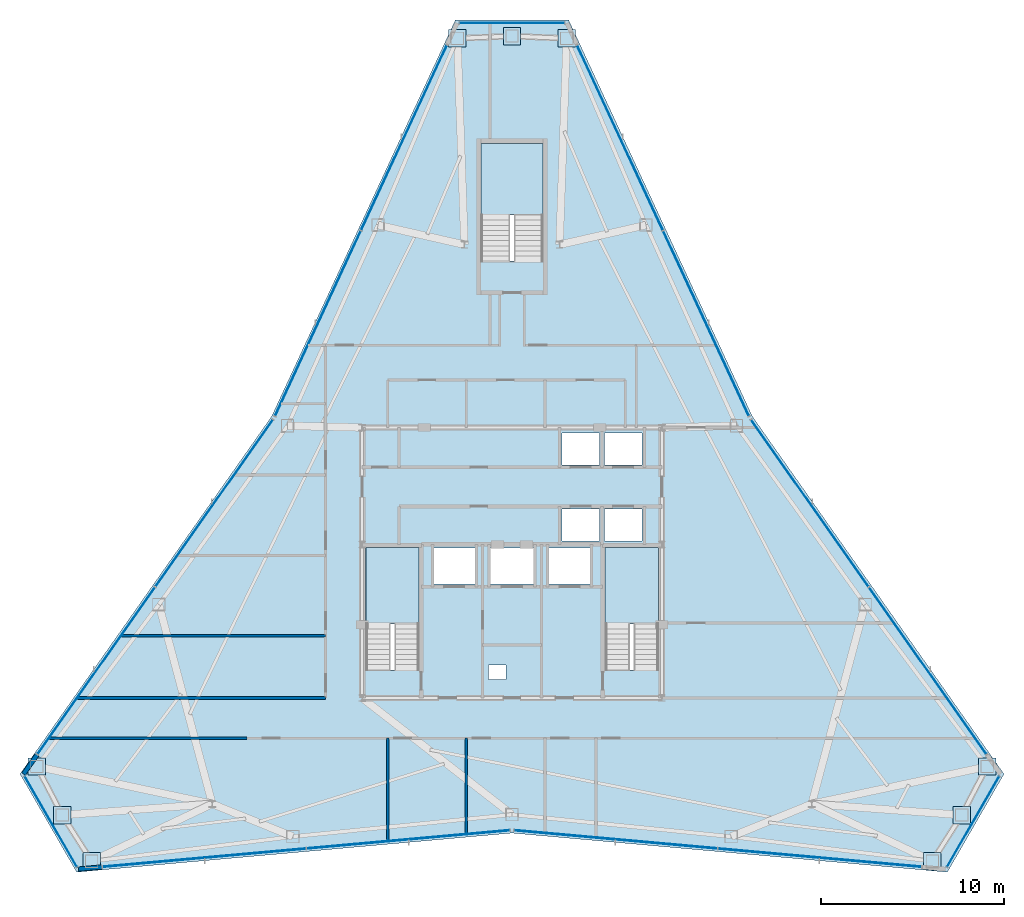
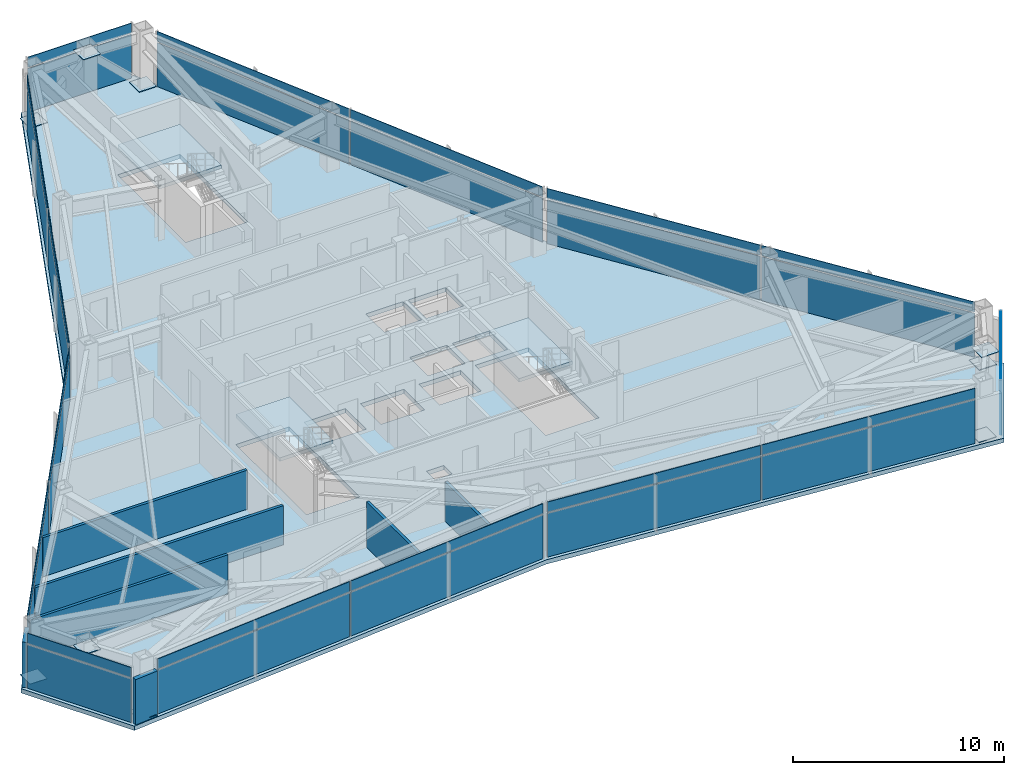
# One storey, part 8 of 12: 39 plates, 7 walls, 4 slabs, 12 elements without a shape of their own.
"""IFC4 building model written with IfcOpenShell, lengths in metres."""

from ifc_helpers import new_model, si_unit, direction, frame, frame_2d, origin, origin_2d, place, context, subcontext, project, spatial, polyline, rectangle, outline, extrude, source, transform, mapped, material, layer, layer_set, type_object, type_shapes, element, aggregate, save


model = new_model("IFC4")

# Units and contexts
model_context = context("Model", 3, precision=1e-05, world=origin(), true_north=direction((0.0, 1.0)))
body_context = subcontext(model_context, "Body", "Model", "MODEL_VIEW")
ifc_project = project(units=[si_unit("LENGTHUNIT", "METRE"), si_unit("AREAUNIT", "SQUARE_METRE"), si_unit("VOLUMEUNIT", "CUBIC_METRE"), si_unit("PLANEANGLEUNIT", "RADIAN"), si_unit("MASSUNIT", "GRAM", prefix="KILO")], contexts=[model_context])

# Site, building, storey
site_placement = place(None, origin())
site = spatial("IfcSite", under=ifc_project, at=site_placement, CompositionType="ELEMENT")
building_placement = place(site_placement, origin())
building = spatial("IfcBuilding", under=site, at=building_placement, Name="Varakhsha Concourse Tower", CompositionType="ELEMENT")
storey_placement = place(building_placement, frame((0.0, 0.0, 239.89990234375)))
storey = spatial("IfcBuildingStorey", under=building, at=storey_placement, Name="L68", CompositionType="ELEMENT", Elevation=239.89990234375)

# Slab
ifc_material_1 = material(Name="Concrete fc 45 MPa", Category="concrete")
ifc_layer_1 = layer(ifc_material_1, 0.25, Name="SL-FLR-250")
ifc_layer_set_1 = layer_set([ifc_layer_1], Name="Concrete fc 45 MPa")
slab_type_1 = type_object("IfcSlabType", Name="SL-FLR-250", PredefinedType="FLOOR", material=ifc_layer_set_1)
slab_1_placement = place(storey_placement, frame((0.0, 0.0, -0.25)))
element("IfcSlab", 1, at=slab_1_placement, inside=storey, type_object=slab_type_1, Name="L68 Composite Structural Slab", PredefinedType="FLOOR", context=body_context, shape_type="SweptSolid", body=[
    extrude(outline(polyline([(43.10009765625, 53.497314453125), (36.89990234375, 53.497314453125), (26.84130859375, 31.797119140625), (13.077880859375, 12.236083984375), (16.177734375, 6.86669921875), (40.0, 9.005615234375), (63.822265625, 6.86669921875), (66.922119140625, 12.236083984375), (53.15869140625, 31.797119140625), (43.10009765625, 53.497314453125)]), holes=[polyline([(34.919921875, 17.93994140625), (34.919921875, 24.6298828125), (32.0, 24.6298828125), (32.0, 17.93994140625), (34.919921875, 17.93994140625)]), polyline([(48.02001953125, 17.93994140625), (48.02001953125, 24.6298828125), (45.10009765625, 24.6298828125), (45.10009765625, 17.93994140625), (48.02001953125, 17.93994140625)]), polyline([(41.699951171875, 40.300048828125), (41.699951171875, 46.75), (38.300048828125, 46.75), (38.300048828125, 40.300048828125), (41.699951171875, 40.300048828125)]), polyline([(42.739990234375, 29.159912109375), (44.780029296875, 29.159912109375), (44.780029296875, 30.89990234375), (42.739990234375, 30.89990234375), (42.739990234375, 29.159912109375)]), polyline([(45.06005859375, 29.159912109375), (47.10009765625, 29.159912109375), (47.10009765625, 30.89990234375), (45.06005859375, 30.89990234375), (45.06005859375, 29.159912109375)]), polyline([(42.739990234375, 25.0), (44.780029296875, 25.0), (44.780029296875, 26.739990234375), (42.739990234375, 26.739990234375), (42.739990234375, 25.0)]), polyline([(45.06005859375, 25.0), (47.10009765625, 25.0), (47.10009765625, 26.739990234375), (45.06005859375, 26.739990234375), (45.06005859375, 25.0)]), polyline([(35.7099609375, 22.639892578125), (37.989990234375, 22.639892578125), (37.989990234375, 24.60009765625), (35.7099609375, 24.60009765625), (35.7099609375, 22.639892578125)]), polyline([(42.010009765625, 22.639892578125), (44.2900390625, 22.639892578125), (44.2900390625, 24.60009765625), (42.010009765625, 24.60009765625), (42.010009765625, 22.639892578125)]), polyline([(38.81005859375, 22.639892578125), (41.18994140625, 22.639892578125), (41.18994140625, 24.60009765625), (38.81005859375, 24.60009765625), (38.81005859375, 22.639892578125)]), polyline([(38.719970703125, 17.39990234375), (39.679931640625, 17.39990234375), (39.679931640625, 18.199951171875), (38.719970703125, 18.199951171875), (38.719970703125, 17.39990234375)])]), origin(), (0.0, 0.0, 1.0), 0.25),
])

# Stair, slab
stair_type_1 = type_object("IfcStairType", Name="ST-DOGLEG-1360", PredefinedType="HALF_TURN_STAIR", material=ifc_material_1)
stair_1_placement = place(storey_placement, origin())
stair_1 = element("IfcStair", 2, at=stair_1_placement, inside=storey, type_object=stair_type_1, Name="L68 Protected Exit Stair ST1", PredefinedType="HALF_TURN_STAIR")
ifc_layer_2 = layer(ifc_material_1, 0.199951171875, Name="SL-LAND-200")
ifc_layer_set_2 = layer_set([ifc_layer_2], Name="Concrete fc 45 MPa")
slab_type_2 = type_object("IfcSlabType", Name="SL-LAND-200", PredefinedType="LANDING", material=ifc_layer_set_2)
slab_2_placement = place(storey_placement, frame((0.0, 0.0, 1.550048828125)))
slab_2 = element("IfcSlab", 3, at=slab_2_placement, type_object=slab_type_2, Name="ST1 landing 1", PredefinedType="LANDING", context=body_context, shape_type="SweptSolid", body=[
    extrude(outline(polyline([(34.919921875, 20.4599609375), (34.919921875, 24.6298828125), (32.0, 24.6298828125), (32.0, 20.4599609375), (34.919921875, 20.4599609375)])), origin(), (0.0, 0.0, 1.0), 0.199951171875),
])
aggregate(stair_1, [slab_2])

stair_2_placement = place(storey_placement, origin())
stair_2 = element("IfcStair", 4, at=stair_2_placement, inside=storey, type_object=stair_type_1, Name="L68 Protected Exit Stair ST2", PredefinedType="HALF_TURN_STAIR")
slab_3_placement = place(storey_placement, frame((0.0, 0.0, 1.550048828125)))
slab_3 = element("IfcSlab", 5, at=slab_3_placement, type_object=slab_type_2, Name="ST2 landing 1", PredefinedType="LANDING", context=body_context, shape_type="SweptSolid", body=[
    extrude(outline(polyline([(48.02001953125, 20.4599609375), (48.02001953125, 24.6298828125), (45.10009765625, 24.6298828125), (45.10009765625, 20.4599609375), (48.02001953125, 20.4599609375)])), origin(), (0.0, 0.0, 1.0), 0.199951171875),
])
aggregate(stair_2, [slab_3])

stair_type_2 = type_object("IfcStairType", Name="ST-DOGLEG-1600", PredefinedType="HALF_TURN_STAIR", material=ifc_material_1)
stair_3_placement = place(storey_placement, origin())
stair_3 = element("IfcStair", 6, at=stair_3_placement, inside=storey, type_object=stair_type_2, Name="L68 Protected Exit Stair ST5", PredefinedType="HALF_TURN_STAIR")
slab_4_placement = place(storey_placement, frame((0.0, 0.0, 1.550048828125)))
slab_4 = element("IfcSlab", 7, at=slab_4_placement, type_object=slab_type_2, Name="ST5 landing 1", PredefinedType="LANDING", context=body_context, shape_type="SweptSolid", body=[
    extrude(outline(polyline([(41.699951171875, 42.820068359375), (41.699951171875, 46.75), (38.300048828125, 46.75), (38.300048828125, 42.820068359375), (41.699951171875, 42.820068359375)])), origin(), (0.0, 0.0, 1.0), 0.199951171875),
])
aggregate(stair_3, [slab_4])

# Plates
ifc_material_2 = material(Name="Structural Steel ASTM A572 Grade 50", Category="steel")
ifc_layer_3 = layer(ifc_material_2, 0.030029296875, Name="PL-ENDCAP-950")
ifc_layer_set_3 = layer_set([ifc_layer_3], Name="Structural Steel ASTM A572 Grade 50")
plate_type_1 = type_object("IfcPlateType", Name="PL-ENDCAP-950", PredefinedType="USERDEFINED", material=ifc_layer_set_3)
shared_shape_1 = source(origin(), body_context, "Body", "SweptSolid", [
    extrude(rectangle(XDim=0.949951171875, YDim=0.949951171875, at=origin_2d()), origin(), (0.0, 0.0, 1.0), 0.030029296875),
])
type_shapes(plate_type_1, [shared_shape_1])
for number, where, z_axis, x_axis, name in (
    (8, (42.993408203125, 52.490966796875, 0.10498046875), (0.0, 0.0, 1.0), (1.0, 0.0, 0.0), "Hollow Section End Cap GP-NODE-L68-0694"),
    (9, (40.0, 52.6171875, 2.93505859375), (0.0, 0.0, 1.0), (1.0, 0.0, 0.0), "Hollow Section End Cap GP-NODE-L68-0695"),
    (10, (37.006591796875, 52.490966796875, 0.10498046875), (0.0, 0.0, 1.0), (1.0, 0.0, 0.0), "Hollow Section End Cap GP-NODE-L68-0696"),
    (11, (14.002685546875, 12.64697265625, 0.10498046875), (0.0, 0.0, 1.0), (1.0, 0.0, 0.0), "Hollow Section End Cap GP-NODE-L68-0697"),
    (12, (15.389892578125, 9.9912109375, 2.93505859375), (0.0, 0.0, 1.0), (1.0, 0.0, 0.0), "Hollow Section End Cap GP-NODE-L68-0698"),
    (13, (16.99609375, 7.4619140625, 0.10498046875), (0.0, 0.0, 1.0), (1.0, 0.0, 0.0), "Hollow Section End Cap GP-NODE-L68-0699"),
    (14, (63.00390625, 7.4619140625, 0.10498046875), (0.0, 0.0, 1.0), (1.0, 0.0, 0.0), "Hollow Section End Cap GP-NODE-L68-0700"),
    (15, (64.610107421875, 9.9912109375, 2.93505859375), (0.0, 0.0, 1.0), (1.0, 0.0, 0.0), "Hollow Section End Cap GP-NODE-L68-0701"),
    (16, (65.997314453125, 12.64697265625, 0.10498046875), (0.0, 0.0, 1.0), (1.0, 0.0, 0.0), "Hollow Section End Cap GP-NODE-L68-0702"),
):
    element("IfcPlate", number, at=place(storey_placement, frame(where, z_axis=z_axis, x_axis=x_axis)), inside=storey, type_object=plate_type_1, Name=name, ObjectType="END PLATE", PredefinedType="USERDEFINED", context=body_context, shape_type="MappedRepresentation", body=[
        mapped(shared_shape_1, transform((0.0, 0.0, 0.0), scale=1.0)),
    ])

# Curtain wall, plates
ifc_material_3 = material(Name="Anodised Bronze Architectural Aluminium AA 6063-T6", Category="aluminium")
ifc_layer_4 = layer(ifc_material_3, 0.199951171875, Name="CW-SYS-05")
ifc_layer_set_4 = layer_set([ifc_layer_4], Name="Anodised Bronze Architectural Aluminium AA 6063-T6")
curtain_wall_type = type_object("IfcCurtainWallType", Name="CW-SYS-05", PredefinedType="NOTDEFINED", material=ifc_layer_set_4)
curtain_wall_1_placement = place(storey_placement, origin())
curtain_wall_1 = element("IfcCurtainWall", 17, at=curtain_wall_1_placement, inside=storey, type_object=curtain_wall_type, Name="L68 Crystal Curtain Wall F2", PredefinedType="NOTDEFINED")
ifc_material_4 = material(Name="Low-E Triple Insulating Glass IGU 44 mm", Category="glass")
ifc_layer_5 = layer(ifc_material_4, 0.0439453125, Name="CWP-IGU-44")
ifc_layer_set_5 = layer_set([ifc_layer_5], Name="Low-E Triple Insulating Glass IGU 44 mm")
plate_type_2 = type_object("IfcPlateType", Name="CWP-IGU-44", PredefinedType="CURTAIN_PANEL", material=ifc_layer_set_5)
shared_shape_2 = source(origin(), body_context, "Body", "SweptSolid", [
    extrude(rectangle(XDim=11.139892578125, YDim=0.0439453125, at=origin_2d()), origin(), (0.0, 0.0, 1.0), 2.535888671875),
])
type_shapes(plate_type_2, [shared_shape_2])
plate_1_placement = place(storey_placement, frame((29.377197265625, 36.88720703125, 0.0322265625), z_axis=(0.0, 0.0, 1.0), x_axis=(0.420546577212, 0.907270949824, 0.0)))
plate_1 = element("IfcPlate", 18, at=plate_1_placement, type_object=plate_type_2, Name="CW-L68-F2 Panel 00-00", PredefinedType="CURTAIN_PANEL", context=body_context, shape_type="MappedRepresentation", body=[
    mapped(shared_shape_2, transform((0.0, 0.0, 0.0), scale=1.0)),
])
plate_2_placement = place(storey_placement, frame((34.091064453125, 47.056884765625, 0.0322265625), z_axis=(0.0, 0.0, 1.0), x_axis=(0.420546577212, 0.907270949824, 0.0)))
plate_2 = element("IfcPlate", 19, at=plate_2_placement, type_object=plate_type_2, Name="CW-L68-F2 Panel 01-00", PredefinedType="CURTAIN_PANEL", context=body_context, shape_type="MappedRepresentation", body=[
    mapped(shared_shape_2, transform((0.0, 0.0, 0.0), scale=1.0)),
])

curtain_wall_2_placement = place(storey_placement, origin())
curtain_wall_2 = element("IfcCurtainWall", 20, at=curtain_wall_2_placement, inside=storey, type_object=curtain_wall_type, Name="L68 Crystal Curtain Wall F3", PredefinedType="NOTDEFINED")
plate_3_placement = place(storey_placement, frame((17.2509765625, 17.888916015625, 0.0322265625), z_axis=(0.0, 0.0, 1.0), x_axis=(0.575443547255, 0.817841502935, 0.0)))
plate_3 = element("IfcPlate", 21, at=plate_3_placement, type_object=plate_type_2, Name="CW-L68-F3 Panel 00-00", PredefinedType="CURTAIN_PANEL", context=body_context, shape_type="MappedRepresentation", body=[
    mapped(shared_shape_2, transform((0.0, 0.0, 0.0), scale=1.0)),
])
plate_4_placement = place(storey_placement, frame((23.700927734375, 27.05615234375, 0.0322265625), z_axis=(0.0, 0.0, 1.0), x_axis=(0.575443547255, 0.817841502935, 0.0)))
plate_4 = element("IfcPlate", 22, at=plate_4_placement, type_object=plate_type_2, Name="CW-L68-F3 Panel 01-00", PredefinedType="CURTAIN_PANEL", context=body_context, shape_type="MappedRepresentation", body=[
    mapped(shared_shape_2, transform((0.0, 0.0, 0.0), scale=1.0)),
])

curtain_wall_3_placement = place(storey_placement, origin())
curtain_wall_3 = element("IfcCurtainWall", 23, at=curtain_wall_3_placement, inside=storey, type_object=curtain_wall_type, Name="L68 Crystal Curtain Wall F5", PredefinedType="NOTDEFINED")
plate_5_placement = place(storey_placement, frame((34.323974609375, 8.656494140625, 0.0322265625), z_axis=(0.0, 0.0, 1.0), x_axis=(-0.995992823181, -0.089433193907, 0.0)))
plate_5 = element("IfcPlate", 24, at=plate_5_placement, type_object=plate_type_2, Name="CW-L68-F5 Panel 00-00", PredefinedType="CURTAIN_PANEL", context=body_context, shape_type="MappedRepresentation", body=[
    mapped(shared_shape_2, transform((0.0, 0.0, 0.0), scale=1.0)),
])
plate_6_placement = place(storey_placement, frame((23.159912109375, 7.654052734375, 0.0322265625), z_axis=(0.0, 0.0, 1.0), x_axis=(-0.995992823181, -0.089433193907, 0.0)))
plate_6 = element("IfcPlate", 25, at=plate_6_placement, type_object=plate_type_2, Name="CW-L68-F5 Panel 01-00", PredefinedType="CURTAIN_PANEL", context=body_context, shape_type="MappedRepresentation", body=[
    mapped(shared_shape_2, transform((0.0, 0.0, 0.0), scale=1.0)),
])

curtain_wall_4_placement = place(storey_placement, origin())
curtain_wall_4 = element("IfcCurtainWall", 26, at=curtain_wall_4_placement, inside=storey, type_object=curtain_wall_type, Name="L68 Crystal Curtain Wall F6", PredefinedType="NOTDEFINED")
plate_7_placement = place(storey_placement, frame((56.840087890625, 7.654052734375, 0.0322265625), z_axis=(0.0, 0.0, 1.0), x_axis=(-0.995992823181, 0.089433193907, 0.0)))
plate_7 = element("IfcPlate", 27, at=plate_7_placement, type_object=plate_type_2, Name="CW-L68-F6 Panel 00-00", PredefinedType="CURTAIN_PANEL", context=body_context, shape_type="MappedRepresentation", body=[
    mapped(shared_shape_2, transform((0.0, 0.0, 0.0), scale=1.0)),
])
plate_8_placement = place(storey_placement, frame((45.676025390625, 8.656494140625, 0.0322265625), z_axis=(0.0, 0.0, 1.0), x_axis=(-0.995992823181, 0.089433193907, 0.0)))
plate_8 = element("IfcPlate", 28, at=plate_8_placement, type_object=plate_type_2, Name="CW-L68-F6 Panel 01-00", PredefinedType="CURTAIN_PANEL", context=body_context, shape_type="MappedRepresentation", body=[
    mapped(shared_shape_2, transform((0.0, 0.0, 0.0), scale=1.0)),
])

curtain_wall_5_placement = place(storey_placement, origin())
curtain_wall_5 = element("IfcCurtainWall", 29, at=curtain_wall_5_placement, inside=storey, type_object=curtain_wall_type, Name="L68 Crystal Curtain Wall F8", PredefinedType="NOTDEFINED")
plate_9_placement = place(storey_placement, frame((56.299072265625, 27.05615234375, 0.0322265625), z_axis=(0.0, 0.0, 1.0), x_axis=(0.575443547255, -0.817841502935, 0.0)))
plate_9 = element("IfcPlate", 30, at=plate_9_placement, type_object=plate_type_2, Name="CW-L68-F8 Panel 00-00", PredefinedType="CURTAIN_PANEL", context=body_context, shape_type="MappedRepresentation", body=[
    mapped(shared_shape_2, transform((0.0, 0.0, 0.0), scale=1.0)),
])
plate_10_placement = place(storey_placement, frame((62.7490234375, 17.888916015625, 0.0322265625), z_axis=(0.0, 0.0, 1.0), x_axis=(0.575443547255, -0.817841502935, 0.0)))
plate_10 = element("IfcPlate", 31, at=plate_10_placement, type_object=plate_type_2, Name="CW-L68-F8 Panel 01-00", PredefinedType="CURTAIN_PANEL", context=body_context, shape_type="MappedRepresentation", body=[
    mapped(shared_shape_2, transform((0.0, 0.0, 0.0), scale=1.0)),
])

curtain_wall_6_placement = place(storey_placement, origin())
curtain_wall_6 = element("IfcCurtainWall", 32, at=curtain_wall_6_placement, inside=storey, type_object=curtain_wall_type, Name="L68 Crystal Curtain Wall F9", PredefinedType="NOTDEFINED")
plate_11_placement = place(storey_placement, frame((45.9091796875, 47.056884765625, 0.0322265625), z_axis=(0.0, 0.0, 1.0), x_axis=(0.420546577212, -0.907270949824, 0.0)))
plate_11 = element("IfcPlate", 33, at=plate_11_placement, type_object=plate_type_2, Name="CW-L68-F9 Panel 00-00", PredefinedType="CURTAIN_PANEL", context=body_context, shape_type="MappedRepresentation", body=[
    mapped(shared_shape_2, transform((0.0, 0.0, 0.0), scale=1.0)),
])
plate_12_placement = place(storey_placement, frame((50.623046875, 36.88720703125, 0.0322265625), z_axis=(0.0, 0.0, 1.0), x_axis=(0.420546577212, -0.907270949824, 0.0)))
plate_12 = element("IfcPlate", 34, at=plate_12_placement, type_object=plate_type_2, Name="CW-L68-F9 Panel 01-00", PredefinedType="CURTAIN_PANEL", context=body_context, shape_type="MappedRepresentation", body=[
    mapped(shared_shape_2, transform((0.0, 0.0, 0.0), scale=1.0)),
])

# Plate
ifc_material_5 = material(Name="Insulated Anodised Bronze Aluminium Spandrel 36 mm", Category="aluminium")
ifc_layer_6 = layer(ifc_material_5, 0.035888671875, Name="CWP-SPN-36")
ifc_layer_set_6 = layer_set([ifc_layer_6], Name="Insulated Anodised Bronze Aluminium Spandrel 36 mm")
plate_type_3 = type_object("IfcPlateType", Name="CWP-SPN-36", PredefinedType="USERDEFINED", material=ifc_layer_set_6)
shared_shape_3 = source(origin(), body_context, "Body", "SweptSolid", [
    extrude(rectangle(XDim=11.139892578125, YDim=0.035888671875, at=origin_2d()), origin(), (0.0, 0.0, 1.0), 0.5859375),
])
plate_13_placement = place(storey_placement, frame((29.377197265625, 36.88720703125, 2.632080078125), z_axis=(0.0, 0.0, 1.0), x_axis=(0.420546577212, 0.907270949824, 0.0)))
plate_13 = element("IfcPlate", 35, at=plate_13_placement, type_object=plate_type_3, Name="CW-L68-F2 Panel 00-01", ObjectType="SPANDREL", PredefinedType="USERDEFINED", context=body_context, shape_type="MappedRepresentation", body=[
    mapped(shared_shape_3, transform((0.0, 0.0, 0.0), scale=1.0)),
])

plate_14_placement = place(storey_placement, frame((34.091064453125, 47.056884765625, 2.632080078125), z_axis=(0.0, 0.0, 1.0), x_axis=(0.420546577212, 0.907270949824, 0.0)))
plate_14 = element("IfcPlate", 36, at=plate_14_placement, type_object=plate_type_3, Name="CW-L68-F2 Panel 01-01", ObjectType="SPANDREL", PredefinedType="USERDEFINED", context=body_context, shape_type="MappedRepresentation", body=[
    mapped(shared_shape_3, transform((0.0, 0.0, 0.0), scale=1.0)),
])

aggregate(curtain_wall_1, [plate_1, plate_13, plate_2, plate_14])

plate_15_placement = place(storey_placement, frame((17.2509765625, 17.888916015625, 2.632080078125), z_axis=(0.0, 0.0, 1.0), x_axis=(0.575443547255, 0.817841502935, 0.0)))
plate_15 = element("IfcPlate", 37, at=plate_15_placement, type_object=plate_type_3, Name="CW-L68-F3 Panel 00-01", ObjectType="SPANDREL", PredefinedType="USERDEFINED", context=body_context, shape_type="MappedRepresentation", body=[
    mapped(shared_shape_3, transform((0.0, 0.0, 0.0), scale=1.0)),
])

plate_16_placement = place(storey_placement, frame((23.700927734375, 27.05615234375, 2.632080078125), z_axis=(0.0, 0.0, 1.0), x_axis=(0.575443547255, 0.817841502935, 0.0)))
plate_16 = element("IfcPlate", 38, at=plate_16_placement, type_object=plate_type_3, Name="CW-L68-F3 Panel 01-01", ObjectType="SPANDREL", PredefinedType="USERDEFINED", context=body_context, shape_type="MappedRepresentation", body=[
    mapped(shared_shape_3, transform((0.0, 0.0, 0.0), scale=1.0)),
])

aggregate(curtain_wall_2, [plate_3, plate_15, plate_4, plate_16])

plate_17_placement = place(storey_placement, frame((34.323974609375, 8.656494140625, 2.632080078125), z_axis=(0.0, 0.0, 1.0), x_axis=(-0.995992823181, -0.089433193907, 0.0)))
plate_17 = element("IfcPlate", 39, at=plate_17_placement, type_object=plate_type_3, Name="CW-L68-F5 Panel 00-01", ObjectType="SPANDREL", PredefinedType="USERDEFINED", context=body_context, shape_type="MappedRepresentation", body=[
    mapped(shared_shape_3, transform((0.0, 0.0, 0.0), scale=1.0)),
])

plate_18_placement = place(storey_placement, frame((23.159912109375, 7.654052734375, 2.632080078125), z_axis=(0.0, 0.0, 1.0), x_axis=(-0.995992823181, -0.089433193907, 0.0)))
plate_18 = element("IfcPlate", 40, at=plate_18_placement, type_object=plate_type_3, Name="CW-L68-F5 Panel 01-01", ObjectType="SPANDREL", PredefinedType="USERDEFINED", context=body_context, shape_type="MappedRepresentation", body=[
    mapped(shared_shape_3, transform((0.0, 0.0, 0.0), scale=1.0)),
])

aggregate(curtain_wall_3, [plate_5, plate_17, plate_6, plate_18])

plate_19_placement = place(storey_placement, frame((56.840087890625, 7.654052734375, 2.632080078125), z_axis=(0.0, 0.0, 1.0), x_axis=(-0.995992823181, 0.089433193907, 0.0)))
plate_19 = element("IfcPlate", 41, at=plate_19_placement, type_object=plate_type_3, Name="CW-L68-F6 Panel 00-01", ObjectType="SPANDREL", PredefinedType="USERDEFINED", context=body_context, shape_type="MappedRepresentation", body=[
    mapped(shared_shape_3, transform((0.0, 0.0, 0.0), scale=1.0)),
])

plate_20_placement = place(storey_placement, frame((45.676025390625, 8.656494140625, 2.632080078125), z_axis=(0.0, 0.0, 1.0), x_axis=(-0.995992823181, 0.089433193907, 0.0)))
plate_20 = element("IfcPlate", 42, at=plate_20_placement, type_object=plate_type_3, Name="CW-L68-F6 Panel 01-01", ObjectType="SPANDREL", PredefinedType="USERDEFINED", context=body_context, shape_type="MappedRepresentation", body=[
    mapped(shared_shape_3, transform((0.0, 0.0, 0.0), scale=1.0)),
])

aggregate(curtain_wall_4, [plate_7, plate_19, plate_8, plate_20])

plate_21_placement = place(storey_placement, frame((56.299072265625, 27.05615234375, 2.632080078125), z_axis=(0.0, 0.0, 1.0), x_axis=(0.575443547255, -0.817841502935, 0.0)))
plate_21 = element("IfcPlate", 43, at=plate_21_placement, type_object=plate_type_3, Name="CW-L68-F8 Panel 00-01", ObjectType="SPANDREL", PredefinedType="USERDEFINED", context=body_context, shape_type="MappedRepresentation", body=[
    mapped(shared_shape_3, transform((0.0, 0.0, 0.0), scale=1.0)),
])

plate_22_placement = place(storey_placement, frame((62.7490234375, 17.888916015625, 2.632080078125), z_axis=(0.0, 0.0, 1.0), x_axis=(0.575443547255, -0.817841502935, 0.0)))
plate_22 = element("IfcPlate", 44, at=plate_22_placement, type_object=plate_type_3, Name="CW-L68-F8 Panel 01-01", ObjectType="SPANDREL", PredefinedType="USERDEFINED", context=body_context, shape_type="MappedRepresentation", body=[
    mapped(shared_shape_3, transform((0.0, 0.0, 0.0), scale=1.0)),
])

aggregate(curtain_wall_5, [plate_9, plate_21, plate_10, plate_22])

plate_23_placement = place(storey_placement, frame((45.9091796875, 47.056884765625, 2.632080078125), z_axis=(0.0, 0.0, 1.0), x_axis=(0.420546577212, -0.907270949824, 0.0)))
plate_23 = element("IfcPlate", 45, at=plate_23_placement, type_object=plate_type_3, Name="CW-L68-F9 Panel 00-01", ObjectType="SPANDREL", PredefinedType="USERDEFINED", context=body_context, shape_type="MappedRepresentation", body=[
    mapped(shared_shape_3, transform((0.0, 0.0, 0.0), scale=1.0)),
])

plate_24_placement = place(storey_placement, frame((50.623046875, 36.88720703125, 2.632080078125), z_axis=(0.0, 0.0, 1.0), x_axis=(0.420546577212, -0.907270949824, 0.0)))
plate_24 = element("IfcPlate", 46, at=plate_24_placement, type_object=plate_type_3, Name="CW-L68-F9 Panel 01-01", ObjectType="SPANDREL", PredefinedType="USERDEFINED", context=body_context, shape_type="MappedRepresentation", body=[
    mapped(shared_shape_3, transform((0.0, 0.0, 0.0), scale=1.0)),
])

aggregate(curtain_wall_6, [plate_11, plate_23, plate_12, plate_24])

# Curtain wall, plates
curtain_wall_7_placement = place(storey_placement, origin())
curtain_wall_7 = element("IfcCurtainWall", 47, at=curtain_wall_7_placement, inside=storey, type_object=curtain_wall_type, Name="L68 Chamfer Curtain Wall F1", PredefinedType="NOTDEFINED")
shared_shape_4 = source(origin(), body_context, "Body", "SweptSolid", [
    extrude(rectangle(XDim=5.69091796875, YDim=0.035888671875, at=origin_2d()), origin(), (0.0, 0.0, 1.0), 2.535888671875),
])
plate_25_placement = place(storey_placement, frame((40.0, 53.33740234375, 0.0322265625), z_axis=(0.0, 0.0, 1.0), x_axis=(1.0, 0.0, 0.0)))
plate_25 = element("IfcPlate", 48, at=plate_25_placement, type_object=plate_type_3, Name="CW-L68-F1 Panel 00-00", ObjectType="SPANDREL", PredefinedType="USERDEFINED", context=body_context, shape_type="MappedRepresentation", body=[
    mapped(shared_shape_4, transform((0.0, 0.0, 0.0), scale=1.0)),
])
shared_shape_5 = source(origin(), body_context, "Body", "SweptSolid", [
    extrude(rectangle(XDim=5.69091796875, YDim=0.035888671875, at=origin_2d()), origin(), (0.0, 0.0, 1.0), 0.5859375),
])
plate_26_placement = place(storey_placement, frame((40.0, 53.33740234375, 2.632080078125), z_axis=(0.0, 0.0, 1.0), x_axis=(1.0, 0.0, 0.0)))
plate_26 = element("IfcPlate", 49, at=plate_26_placement, type_object=plate_type_3, Name="CW-L68-F1 Panel 00-01", ObjectType="SPANDREL", PredefinedType="USERDEFINED", context=body_context, shape_type="MappedRepresentation", body=[
    mapped(shared_shape_5, transform((0.0, 0.0, 0.0), scale=1.0)),
])
aggregate(curtain_wall_7, [plate_25, plate_26])

# Curtain wall, plate
curtain_wall_8_placement = place(storey_placement, origin())
curtain_wall_8 = element("IfcCurtainWall", 50, at=curtain_wall_8_placement, inside=storey, type_object=curtain_wall_type, Name="L68 Chamfer Curtain Wall F4", PredefinedType="NOTDEFINED")
shared_shape_6 = source(origin(), body_context, "Body", "SweptSolid", [
    extrude(rectangle(XDim=5.691162109375, YDim=0.035888671875, at=origin_2d()), origin(), (0.0, 0.0, 1.0), 2.535888671875),
])
plate_27_placement = place(storey_placement, frame((14.766357421875, 9.63134765625, 0.0322265625), z_axis=(0.0, 0.0, 1.0), x_axis=(-0.499992442484, 0.866029767075, 0.0)))
plate_27 = element("IfcPlate", 51, at=plate_27_placement, type_object=plate_type_3, Name="CW-L68-F4 Panel 00-00", ObjectType="SPANDREL", PredefinedType="USERDEFINED", context=body_context, shape_type="MappedRepresentation", body=[
    mapped(shared_shape_6, transform((0.0, 0.0, 0.0), scale=1.0)),
])

curtain_wall_9_placement = place(storey_placement, origin())
curtain_wall_9 = element("IfcCurtainWall", 52, at=curtain_wall_9_placement, inside=storey, type_object=curtain_wall_type, Name="L68 Chamfer Curtain Wall F7", PredefinedType="NOTDEFINED")
plate_28_placement = place(storey_placement, frame((65.233642578125, 9.63134765625, 0.0322265625), z_axis=(0.0, 0.0, 1.0), x_axis=(-0.499992442484, -0.866029767075, 0.0)))
plate_28 = element("IfcPlate", 53, at=plate_28_placement, type_object=plate_type_3, Name="CW-L68-F7 Panel 00-00", ObjectType="SPANDREL", PredefinedType="USERDEFINED", context=body_context, shape_type="MappedRepresentation", body=[
    mapped(shared_shape_6, transform((0.0, 0.0, 0.0), scale=1.0)),
])

# Plate
shared_shape_7 = source(origin(), body_context, "Body", "SweptSolid", [
    extrude(rectangle(XDim=5.691162109375, YDim=0.035888671875, at=origin_2d()), origin(), (0.0, 0.0, 1.0), 0.5859375),
])
type_shapes(plate_type_3, [shared_shape_3, shared_shape_4, shared_shape_5, shared_shape_6, shared_shape_7])
plate_29_placement = place(storey_placement, frame((14.766357421875, 9.63134765625, 2.632080078125), z_axis=(0.0, 0.0, 1.0), x_axis=(-0.499992442484, 0.866029767075, 0.0)))
plate_29 = element("IfcPlate", 54, at=plate_29_placement, type_object=plate_type_3, Name="CW-L68-F4 Panel 00-01", ObjectType="SPANDREL", PredefinedType="USERDEFINED", context=body_context, shape_type="MappedRepresentation", body=[
    mapped(shared_shape_7, transform((0.0, 0.0, 0.0), scale=1.0)),
])

aggregate(curtain_wall_8, [plate_27, plate_29])

plate_30_placement = place(storey_placement, frame((65.233642578125, 9.63134765625, 2.632080078125), z_axis=(0.0, 0.0, 1.0), x_axis=(-0.499992442484, -0.866029767075, 0.0)))
plate_30 = element("IfcPlate", 55, at=plate_30_placement, type_object=plate_type_3, Name="CW-L68-F7 Panel 00-01", ObjectType="SPANDREL", PredefinedType="USERDEFINED", context=body_context, shape_type="MappedRepresentation", body=[
    mapped(shared_shape_7, transform((0.0, 0.0, 0.0), scale=1.0)),
])

aggregate(curtain_wall_9, [plate_28, plate_30])

# Walls
ifc_layer_7 = layer(ifc_material_1, 0.239990234375, Name="WL-EXT-CRN-240")
ifc_layer_set_7 = layer_set([ifc_layer_7], Name="Concrete fc 45 MPa")
wall_type_1 = type_object("IfcWallType", Name="WL-EXT-CRN-240", PredefinedType="SHEAR", material=ifc_layer_set_7)
for number, where, z_axis, x_axis, name in (
    (56, (14.007080078125, 13.27880859375, 0.0), (0.0, 0.0, 1.0), (-0.575370412724, -0.817892956421, 0.0), "L68 Wind-Corner Shoulder Wall F3"),
    (57, (16.27197265625, 7.03564453125, 0.0), (0.0, 0.0, 1.0), (0.995998949865, 0.089364936453, 0.0), "L68 Wind-Corner Shoulder Wall F5"),
):
    element("IfcWall", number, at=place(storey_placement, frame(where, z_axis=z_axis, x_axis=x_axis)), inside=storey, type_object=wall_type_1, Name=name, PredefinedType="SHEAR", context=body_context, shape_type="SweptSolid", body=[
        extrude(rectangle(XDim=1.278564453125, YDim=0.239990234375, at=frame_2d((0.63916015625, 0.0))), origin(), (0.0, 0.0, 1.0), 2.623046875),
    ])
ifc_material_6 = material(Name="Fire-Rated Type X Gypsum Partition Assembly", Category="gypsum")
ifc_layer_8 = layer(ifc_material_6, 0.14990234375, Name="WL-PART-150")
ifc_layer_set_8 = layer_set([ifc_layer_8], Name="Fire-Rated Type X Gypsum Partition Assembly")
wall_type_2 = type_object("IfcWallType", Name="WL-PART-150", PredefinedType="PARTITIONING", material=ifc_layer_set_8)
wall_1_placement = place(storey_placement, frame((14.661376953125, 14.199951171875, 0.0), z_axis=(0.0, 0.0, 1.0), x_axis=(1.0, 0.0, 0.0)))
element("IfcWall", 58, at=wall_1_placement, inside=storey, type_object=wall_type_2, Name="L68 Wall CRW-SGAL-SW-L68", PredefinedType="PARTITIONING", context=body_context, shape_type="SweptSolid", body=[
    extrude(rectangle(XDim=10.838623046875, YDim=0.14990234375, at=frame_2d((5.41943359375, 0.0))), origin(), (0.0, 0.0, 1.0), 2.26513671875),
])
wall_2_placement = place(storey_placement, frame((16.20947265625, 16.39990234375, 0.0), z_axis=(0.0, 0.0, 1.0), x_axis=(1.0, 0.0, 0.0)))
element("IfcWall", 59, at=wall_2_placement, inside=storey, type_object=wall_type_2, Name="L68 Wall CRW-SGAL-NW-L68", PredefinedType="PARTITIONING", context=body_context, shape_type="SweptSolid", body=[
    extrude(rectangle(XDim=13.590576171875, YDim=0.14990234375, at=frame_2d((6.79541015625, 0.0))), origin(), (0.0, 0.0, 1.0), 2.26513671875),
])
wall_3_placement = place(storey_placement, frame((33.199951171875, 8.560791015625, 0.0), z_axis=(0.0, 0.0, 1.0), x_axis=(0.0, 1.0, 0.0)))
element("IfcWall", 60, at=wall_3_placement, inside=storey, type_object=wall_type_2, Name="L68 Wall ODIV-S1-L68", PredefinedType="PARTITIONING", context=body_context, shape_type="SweptSolid", body=[
    extrude(rectangle(XDim=5.63916015625, YDim=0.14990234375, at=frame_2d((2.819580078125, 0.0))), origin(), (0.0, 0.0, 1.0), 2.628173828125),
])
wall_4_placement = place(storey_placement, frame((37.5, 8.94677734375, 0.0), z_axis=(0.0, 0.0, 1.0), x_axis=(0.0, 1.0, 0.0)))
element("IfcWall", 61, at=wall_4_placement, inside=storey, type_object=wall_type_2, Name="L68 Wall ODIV-S2-L68", PredefinedType="PARTITIONING", context=body_context, shape_type="SweptSolid", body=[
    extrude(rectangle(XDim=5.253173828125, YDim=0.14990234375, at=frame_2d((2.62646484375, 0.0))), origin(), (0.0, 0.0, 1.0), 2.26513671875),
])
wall_5_placement = place(storey_placement, frame((18.601806640625, 19.800048828125, 0.0), z_axis=(0.0, 0.0, 1.0), x_axis=(1.0, 0.0, 0.0)))
element("IfcWall", 62, at=wall_5_placement, inside=storey, type_object=wall_type_2, Name="L68 Wall ODIV-W1-L68", PredefinedType="PARTITIONING", context=body_context, shape_type="SweptSolid", body=[
    extrude(rectangle(XDim=11.1982421875, YDim=0.14990234375, at=frame_2d((5.59912109375, 0.0))), origin(), (0.0, 0.0, 1.0), 2.26513671875),
])

save(model, "model.ifc")
